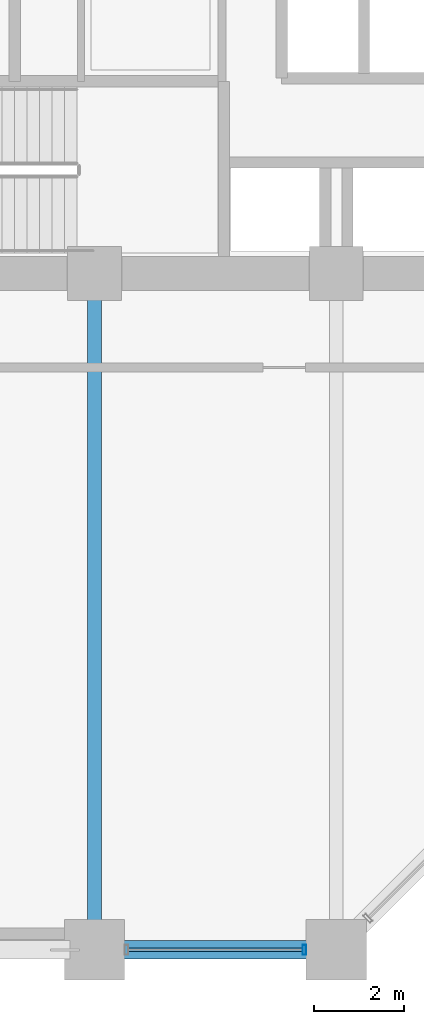
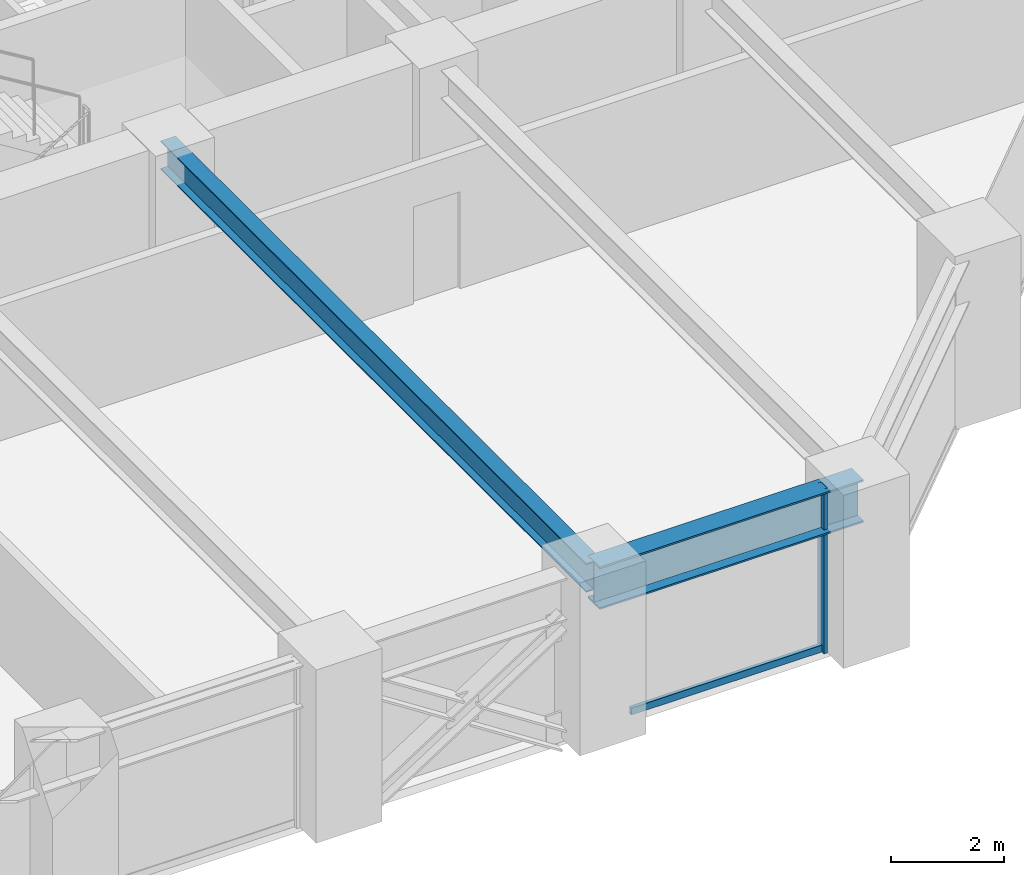
# One storey, part 5 of 25: 2 beams, 2 members, 1 element without a shape of its own.
"""IFC4 building model written with IfcOpenShell, lengths in metres."""

from ifc_helpers import new_model, si_unit, direction, frame, origin, origin_2d, place, context, subcontext, project, spatial, hollow_rectangle, i_section, extrude, material, layer, layer_set, material_profile, profile_set, type_object, element, aggregate, save


model = new_model("IFC4")

# Units and contexts
model_context = context("Model", 3, precision=1e-05, world=origin(), true_north=direction((0.0, 1.0)))
body_context = subcontext(model_context, "Body", "Model", "MODEL_VIEW")
ifc_project = project(units=[si_unit("LENGTHUNIT", "METRE"), si_unit("AREAUNIT", "SQUARE_METRE"), si_unit("VOLUMEUNIT", "CUBIC_METRE"), si_unit("PLANEANGLEUNIT", "RADIAN"), si_unit("MASSUNIT", "GRAM", prefix="KILO")], contexts=[model_context])

# Site, building, storey
site_placement = place(None, origin())
site = spatial("IfcSite", under=ifc_project, at=site_placement, CompositionType="ELEMENT")
building_placement = place(site_placement, origin())
building = spatial("IfcBuilding", under=site, at=building_placement, Name="Surkhivell Harbour Commons", CompositionType="ELEMENT")
storey_placement = place(building_placement, frame((0.0, 0.0, 33.75)))
storey = spatial("IfcBuildingStorey", under=building, at=storey_placement, Name="L08", CompositionType="ELEMENT", Elevation=33.75)

# Beams
ifc_material_1 = material(Name="Steel S355", Category="steel")
ifc_material_profile_1 = material_profile(ifc_material_1, i_section(OverallWidth=0.306884765625, OverallDepth=0.6201171875, WebThickness=0.01416015625, FlangeThickness=0.023681640625, at=origin_2d()), Name="UB610x305x179")
ifc_profile_set_1 = profile_set([ifc_material_profile_1], Name="Steel S355")
beam_type_1 = type_object("IfcBeamType", Name="BM-GRD-610A", PredefinedType="BEAM", material=ifc_profile_set_1)
beam_1_placement = place(storey_placement, frame((-5.39990234375, -25.89990234375, 3.260009765625), z_axis=(0.0, 1.0, 0.0), x_axis=(-1.0, 0.0, 0.0)))
element("IfcBeam", 1, at=beam_1_placement, inside=storey, type_object=beam_type_1, Name="L08 Floor Girder (-5.4,-25.9)", PredefinedType="BEAM", context=body_context, shape_type="SweptSolid", body=[
    extrude(i_section(OverallWidth=0.306884765625, OverallDepth=0.6201171875, WebThickness=0.01416015625, FlangeThickness=0.023681640625, at=origin_2d()), origin(), (0.0, 0.0, 1.0), 15.099853515625),
])
ifc_material_2 = material(Name="Steel S460", Category="steel")
ifc_material_profile_2 = material_profile(ifc_material_2, i_section(OverallWidth=0.419921875, OverallDepth=0.9208984375, WebThickness=0.021484375, FlangeThickness=0.03662109375, at=origin_2d()), Name="UB914x419x388")
ifc_profile_set_2 = profile_set([ifc_material_profile_2], Name="Steel S460")
beam_type_2 = type_object("IfcBeamType", Name="BM-SPN-914A", PredefinedType="SPANDREL", material=ifc_profile_set_2)
beam_2_placement = place(storey_placement, frame((-5.39990234375, -25.89990234375, 3.109619140625), z_axis=(1.0, 0.0, 0.0), x_axis=(0.0, 1.0, 0.0)))
element("IfcBeam", 2, at=beam_2_placement, inside=storey, type_object=beam_type_2, Name="L08 Tube Spandrel (-5.4,-25.9)", PredefinedType="SPANDREL", context=body_context, shape_type="SweptSolid", body=[
    extrude(i_section(OverallWidth=0.419921875, OverallDepth=0.9208984375, WebThickness=0.021484375, FlangeThickness=0.03662109375, at=origin_2d()), origin(), (0.0, 0.0, 1.0), 5.39990234375),
])

# Curtain wall, members
ifc_material_3 = material(Name="Anodised pale-metal aluminium and insulated glazing", Category="aluminium")
ifc_layer = layer(ifc_material_3, 0.219970703125)
ifc_layer_set = layer_set([ifc_layer], Name="Anodised pale-metal aluminium and insulated glazing")
curtain_wall_type = type_object("IfcCurtainWallType", Name="CW-SYS-Z1", PredefinedType="NOTDEFINED", material=ifc_layer_set)
curtain_wall_placement = place(storey_placement, origin())
curtain_wall = element("IfcCurtainWall", 3, at=curtain_wall_placement, inside=storey, type_object=curtain_wall_type, Name="L08 Curtain Wall CW-L08-E00S2", PredefinedType="NOTDEFINED")
ifc_material_4 = material(Name="Anodised pale-metal aluminium alloy 6063-T6", Category="aluminium")
ifc_material_profile_3 = material_profile(ifc_material_4, hollow_rectangle(XDim=0.074951171875, YDim=0.219970703125, WallThickness=0.00390625, at=origin_2d()), Name="ALU-MULL-75x220")
ifc_profile_set_3 = profile_set([ifc_material_profile_3], Name="Anodised pale-metal aluminium alloy 6063-T6")
member_type_1 = type_object("IfcMemberType", Name="CWM-220", PredefinedType="MULLION", material=ifc_profile_set_3)
member_1_placement = place(storey_placement, frame((-0.714599609375, -25.89990234375, 0.0), z_axis=(0.0, 0.0, 1.0), x_axis=(1.0, 0.0, 0.0)))
member_1 = element("IfcMember", 4, at=member_1_placement, type_object=member_type_1, Name="CW-Z1 mullion 2", PredefinedType="MULLION", context=body_context, shape_type="SweptSolid", body=[
    extrude(hollow_rectangle(XDim=0.074951171875, YDim=0.219970703125, WallThickness=0.00390625, at=origin_2d()), origin(), (0.0, 0.0, 1.0), 3.570068359375),
])
ifc_material_profile_4 = material_profile(ifc_material_4, hollow_rectangle(XDim=0.074951171875, YDim=0.14990234375, WallThickness=0.00341796875, at=origin_2d()), Name="ALU-TRAN-75x150")
ifc_profile_set_4 = profile_set([ifc_material_profile_4], Name="Anodised pale-metal aluminium alloy 6063-T6")
member_type_2 = type_object("IfcMemberType", Name="CWT-150", PredefinedType="USERDEFINED", material=ifc_profile_set_4)
member_2_placement = place(storey_placement, frame((-4.64794921875, -25.89990234375, 0.074951171875), z_axis=(1.0, 0.0, 0.0), x_axis=(0.0, 1.0, 0.0)))
member_2 = element("IfcMember", 5, at=member_2_placement, type_object=member_type_2, Name="CW-Z1 transom 1.1", ObjectType="TRANSOM", PredefinedType="USERDEFINED", context=body_context, shape_type="SweptSolid", body=[
    extrude(hollow_rectangle(XDim=0.074951171875, YDim=0.14990234375, WallThickness=0.00341796875, at=origin_2d()), origin(), (0.0, 0.0, 1.0), 3.89599609375),
])
aggregate(curtain_wall, [member_1, member_2])

save(model, "model.ifc")
